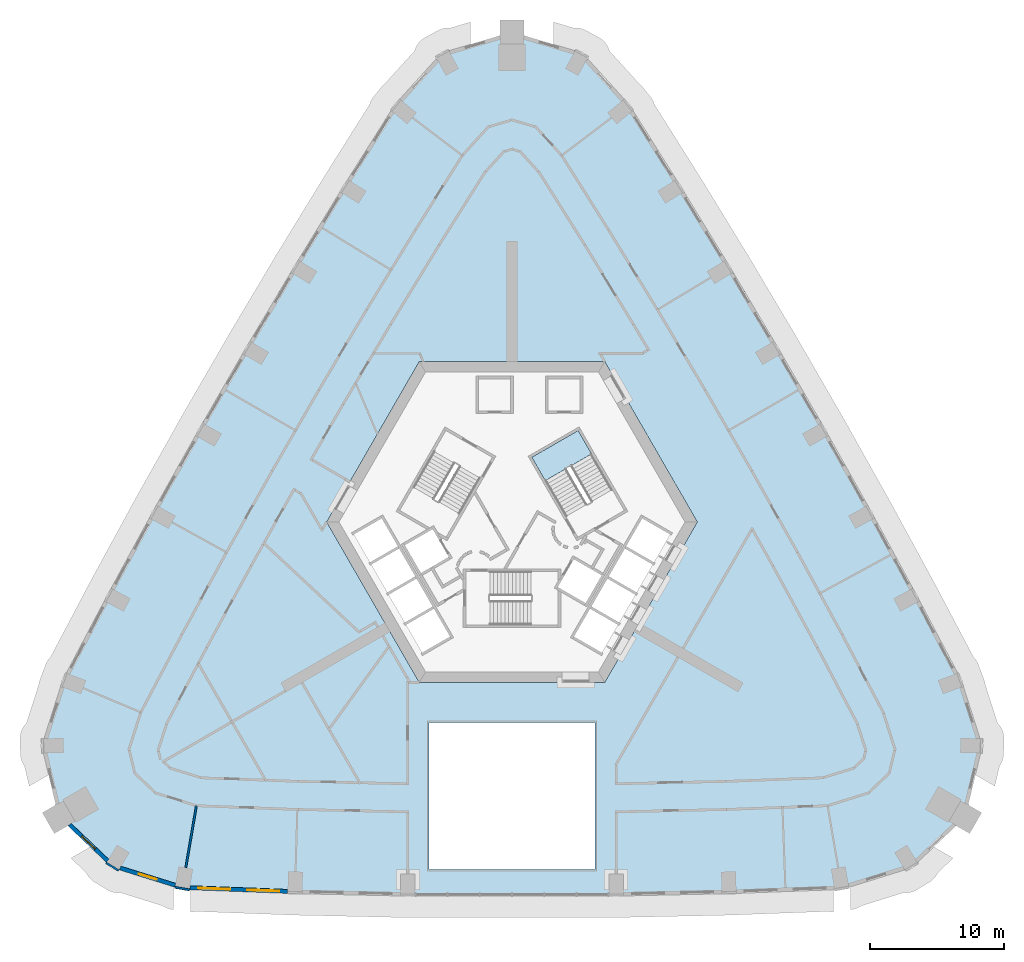
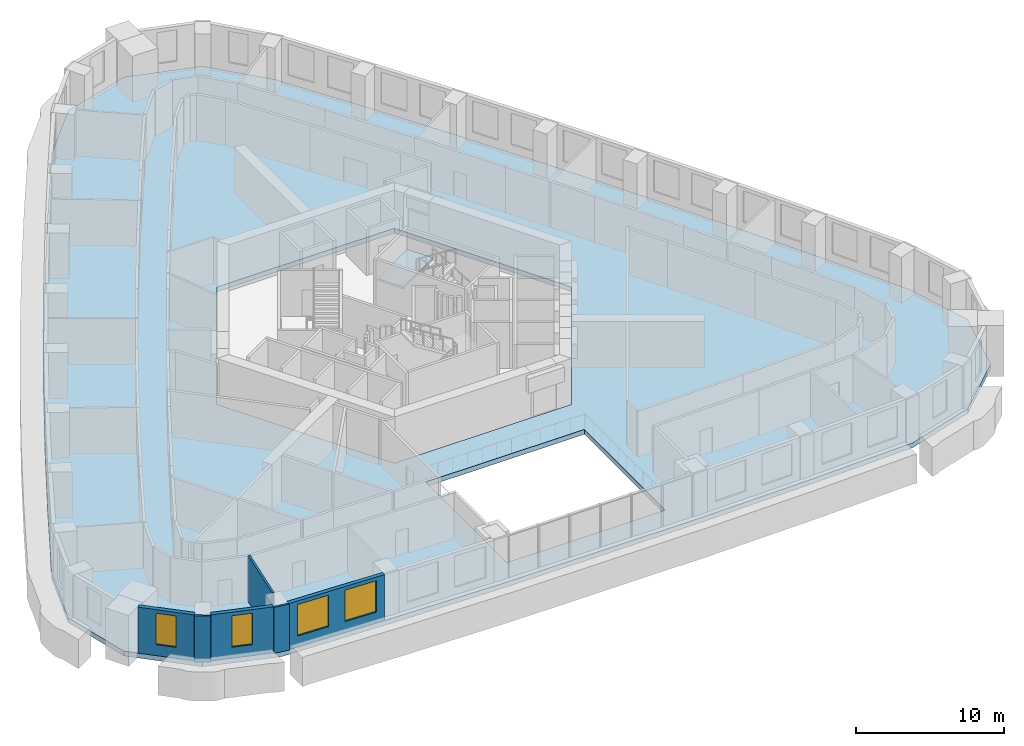
# One storey, part 3 of 17: 6 walls, 4 windows, 2 slabs, 4 openings, 1 element without a shape of its own.
"""IFC4 building model written with IfcOpenShell, lengths in metres."""

from ifc_helpers import new_model, si_unit, direction, frame, frame_2d, origin, place, context, subcontext, project, spatial, polyline, rectangle, outline, extrude, material, layer, layer_set, type_object, element, fill, aggregate, save


model = new_model("IFC4")

# Units and contexts
model_context = context("Model", 3, precision=1e-05, world=origin(), true_north=direction((0.0, 1.0)))
body_context = subcontext(model_context, "Body", "Model", "MODEL_VIEW")
ifc_project = project(units=[si_unit("LENGTHUNIT", "METRE"), si_unit("AREAUNIT", "SQUARE_METRE"), si_unit("VOLUMEUNIT", "CUBIC_METRE"), si_unit("PLANEANGLEUNIT", "RADIAN"), si_unit("MASSUNIT", "GRAM", prefix="KILO")], contexts=[model_context])

# Site, building, storey
site_placement = place(None, origin())
site = spatial("IfcSite", under=ifc_project, at=site_placement, CompositionType="ELEMENT")
building_placement = place(site_placement, origin())
building = spatial("IfcBuilding", under=site, at=building_placement, Name="Entoto Arch Interchange Tower", CompositionType="ELEMENT")
storey_placement = place(building_placement, frame((0.0, 0.0, 167.60009765625)))
storey = spatial("IfcBuildingStorey", under=building, at=storey_placement, Name="L37", CompositionType="ELEMENT", Elevation=167.60009765625)

# Stair, slab
ifc_material_1 = material(Name="Concrete C40/50", Category="concrete")
stair_type = type_object("IfcStairType", Name="EXIT STAIR RC 1800", PredefinedType="HALF_TURN_STAIR", material=ifc_material_1)
stair_placement = place(storey_placement, origin())
stair = element("IfcStair", 1, at=stair_placement, inside=storey, type_object=stair_type, Name="L37 Exit stair NE", PredefinedType="HALF_TURN_STAIR")
ifc_layer_1 = layer(ifc_material_1, 0.199951171875)
ifc_layer_set_1 = layer_set([ifc_layer_1], Name="Concrete C40/50")
slab_type_1 = type_object("IfcSlabType", Name="EXIT STAIR LANDING RC 200", PredefinedType="LANDING", material=ifc_layer_set_1)
slab_1_placement = place(storey_placement, frame((0.0, 0.0, 1.89990234375)))
slab_1 = element("IfcSlab", 2, at=slab_1_placement, type_object=slab_type_1, Name="ST-NE landing 1", PredefinedType="LANDING", context=body_context, shape_type="SweptSolid", body=[
    extrude(outline(polyline([(5.953369140625, 7.58837890625), (4.943359375, 9.337890625), (1.479248046875, 7.337890625), (2.4892578125, 5.58837890625), (5.953369140625, 7.58837890625)])), origin(), (0.0, 0.0, 1.0), 0.199951171875),
])
aggregate(stair, [slab_1])

# Slab
ifc_layer_2 = layer(ifc_material_1, 0.39990234375)
ifc_layer_set_2 = layer_set([ifc_layer_2], Name="Concrete C40/50")
slab_type_2 = type_object("IfcSlabType", Name="Post-tensioned flat plate 400 C40/50", PredefinedType="FLOOR", material=ifc_layer_set_2)
slab_2_placement = place(storey_placement, frame((0.0, 0.0, -0.400146484375)))
element("IfcSlab", 3, at=slab_2_placement, inside=storey, type_object=slab_type_2, Name="Floor slab L37", PredefinedType="FLOOR", context=body_context, shape_type="SweptSolid", body=[
    extrude(outline(polyline([(-24.6689453125, -24.97705078125), (-16.23388671875, -25.2900390625), (-7.800048828125, -25.472900390625), (7.800048828125, -25.472900390625), (16.23388671875, -25.2900390625), (24.6689453125, -24.97705078125), (29.9189453125, -23.339111328125), (33.888916015625, -19.56494140625), (35.1708984375, -14.240966796875), (33.58203125, -9.281005859375), (30.23388671875, -2.931884765625), (26.860107421875, 3.27490234375), (23.406005859375, 9.43603515625), (19.875, 15.552978515625), (16.26611328125, 21.6240234375), (12.577880859375, 27.64892578125), (8.7529296875, 33.72412109375), (5.2529296875, 37.580078125), (0.0, 39.131103515625), (-5.2529296875, 37.580078125), (-8.7529296875, 33.72412109375), (-12.577880859375, 27.64892578125), (-16.26611328125, 21.6240234375), (-19.875, 15.552978515625), (-23.406005859375, 9.43603515625), (-26.860107421875, 3.27490234375), (-30.23388671875, -2.931884765625), (-33.58203125, -9.281005859375), (-35.1708984375, -14.240966796875), (-33.888916015625, -19.56494140625), (-29.9189453125, -23.339111328125), (-24.6689453125, -24.97705078125)]), holes=[polyline([(6.199951171875, -23.472900390625), (6.199951171875, -12.5), (-6.199951171875, -12.5), (-6.199951171875, -23.472900390625), (6.199951171875, -23.472900390625)]), polyline([(13.85595703125, 2.5), (6.927978515625, 14.5), (-6.927978515625, 14.5), (-13.85595703125, 2.5), (-6.927978515625, -9.5), (6.927978515625, -9.5), (13.85595703125, 2.5)])]), origin(), (0.0, 0.0, 1.0), 0.400146484375),
])

# Wall
ifc_material_2 = material(Name="Gypsum board partition on steel studs", Category="steel")
ifc_layer_3 = layer(ifc_material_2, 0.14990234375)
ifc_layer_set_3 = layer_set([ifc_layer_3], Name="Gypsum board partition on steel studs")
wall_type_1 = type_object("IfcWallType", Name="PARTITION 150", PredefinedType="PARTITIONING", material=ifc_layer_set_3)
wall_1_placement = place(storey_placement, frame((-23.594970703125, -18.7119140625, 0.0), z_axis=(0.0, 0.0, 1.0), x_axis=(-0.168992733164, -0.985617296996, 0.0)))
element("IfcWall", 4, at=wall_1_placement, inside=storey, type_object=wall_type_1, Name="wall:L37:p145", PredefinedType="PARTITIONING", context=body_context, shape_type="SweptSolid", body=[
    extrude(rectangle(XDim=4.6865234375, YDim=0.14990234375, at=frame_2d((2.34326171875, 0.0))), origin(), (0.0, 0.0, 1.0), 3.7998046875),
])

# Wall, openings, windows
ifc_material_3 = material(Name="Welded tuff (ignimbrite) cladding, warm buff", Category="masonry")
ifc_layer_4 = layer(ifc_material_3, 0.300048828125)
ifc_layer_set_4 = layer_set([ifc_layer_4], Name="Welded tuff (ignimbrite) cladding, warm buff")
wall_type_2 = type_object("IfcWallType", Name="STONE INFILL WALL 300", PredefinedType="STANDARD", material=ifc_layer_set_4)
wall_2_placement = place(storey_placement, frame((-24.090087890625, -24.847900390625, 0.0), z_axis=(0.0, 0.0, 1.0), x_axis=(0.999307730926, -0.037202942236, 0.0)))
wall_2 = element("IfcWall", 5, at=wall_2_placement, inside=storey, type_object=wall_type_2, Name="Facade wall S-01 L37", PredefinedType="STANDARD", context=body_context, shape_type="SweptSolid", body=[
    extrude(rectangle(XDim=7.317138671875, YDim=0.300048828125, at=frame_2d((3.65869140625, 0.0))), origin(), (0.0, 0.0, 1.0), 3.7998046875),
])
opening_1_placement = place(wall_2_placement, frame((0.62890625, 0.0, 0.89990234375)))
opening_1 = element("IfcOpeningElement", 6, at=opening_1_placement, cuts=wall_2, Name="Opening WO-A", PredefinedType="OPENING", context=body_context, shape_type="SweptSolid", body=[
    extrude(rectangle(XDim=2.39990234375, YDim=2.60009765625, at=frame_2d((1.199951171875, 1.300048828125))), frame((0.0, 0.16015625, 0.0), z_axis=(0.0, -1.0, 0.0), x_axis=(1.0, 0.0, 0.0)), (0.0, 0.0, 1.0), 0.320068359375),
])
opening_2_placement = place(wall_2_placement, frame((4.2880859375, 0.0, 0.89990234375)))
opening_2 = element("IfcOpeningElement", 7, at=opening_2_placement, cuts=wall_2, Name="Opening WO-A", PredefinedType="OPENING", context=body_context, shape_type="SweptSolid", body=[
    extrude(rectangle(XDim=2.39990234375, YDim=2.60009765625, at=frame_2d((1.199951171875, 1.300048828125))), frame((0.0, 0.16015625, 0.0), z_axis=(0.0, -1.0, 0.0), x_axis=(1.0, 0.0, 0.0)), (0.0, 0.0, 1.0), 0.320068359375),
])
ifc_material_4 = material(Name="Clear glass, low-e double glazed", Category="glass")
window_type_1 = type_object("IfcWindowType", Name="WINDOW WO-A 2400x2600", PartitioningType="DOUBLE_PANEL_VERTICAL", PredefinedType="WINDOW", material=ifc_material_4)
window_1_placement = place(opening_1_placement, origin())
window_1 = element("IfcWindow", 8, at=window_1_placement, inside=storey, type_object=window_type_1, Name="Window WO-A S-01 L37", OverallHeight=2.60009765625, OverallWidth=2.39990234375, PartitioningType="SINGLE_PANEL", PredefinedType="WINDOW", context=body_context, shape_type="SweptSolid", body=[
    extrude(rectangle(XDim=2.39990234375, YDim=2.60009765625, at=frame_2d((1.199951171875, 1.300048828125))), frame((0.0, 0.030029296875, 0.0), z_axis=(0.0, -1.0, 0.0), x_axis=(1.0, 0.0, 0.0)), (0.0, 0.0, 1.0), 0.06005859375),
])
fill(opening_1, window_1)
window_2_placement = place(opening_2_placement, origin())
window_2 = element("IfcWindow", 9, at=window_2_placement, inside=storey, type_object=window_type_1, Name="Window WO-A S-01 L37", OverallHeight=2.60009765625, OverallWidth=2.39990234375, PartitioningType="SINGLE_PANEL", PredefinedType="WINDOW", context=body_context, shape_type="SweptSolid", body=[
    extrude(rectangle(XDim=2.39990234375, YDim=2.60009765625, at=frame_2d((1.199951171875, 1.300048828125))), frame((0.0, 0.030029296875, 0.0), z_axis=(0.0, -1.0, 0.0), x_axis=(1.0, 0.0, 0.0)), (0.0, 0.0, 1.0), 0.06005859375),
])
fill(opening_2, window_2)

# Wall, opening, window
wall_3_placement = place(storey_placement, frame((-33.073974609375, -20.133056640625, 0.0), z_axis=(0.0, 0.0, 1.0), x_axis=(0.724807239831, -0.688951714628, 0.0)))
wall_3 = element("IfcWall", 10, at=wall_3_placement, inside=storey, type_object=wall_type_2, Name="Facade wall SW-03 L37", PredefinedType="STANDARD", context=body_context, shape_type="SweptSolid", body=[
    extrude(rectangle(XDim=3.901611328125, YDim=0.300048828125, at=frame_2d((1.95068359375, 0.0))), origin(), (0.0, 0.0, 1.0), 3.7998046875),
])
opening_3_placement = place(wall_3_placement, frame((1.2509765625, 0.0, 0.89990234375)))
opening_3 = element("IfcOpeningElement", 11, at=opening_3_placement, cuts=wall_3, Name="Opening WO-B", PredefinedType="OPENING", context=body_context, shape_type="SweptSolid", body=[
    extrude(rectangle(XDim=1.39990234375, YDim=2.60009765625, at=frame_2d((0.699951171875, 1.300048828125))), frame((0.0, 0.16015625, 0.0), z_axis=(0.0, -1.0, 0.0), x_axis=(1.0, 0.0, 0.0)), (0.0, 0.0, 1.0), 0.320068359375),
])
window_type_2 = type_object("IfcWindowType", Name="WINDOW WO-B 1400x2600", PartitioningType="DOUBLE_PANEL_VERTICAL", PredefinedType="WINDOW", material=ifc_material_4)
window_3_placement = place(opening_3_placement, origin())
window_3 = element("IfcWindow", 12, at=window_3_placement, inside=storey, type_object=window_type_2, Name="Window WO-B SW-03 L37", OverallHeight=2.60009765625, OverallWidth=1.39990234375, PartitioningType="SINGLE_PANEL", PredefinedType="WINDOW", context=body_context, shape_type="SweptSolid", body=[
    extrude(rectangle(XDim=1.39990234375, YDim=2.60009765625, at=frame_2d((0.699951171875, 1.300048828125))), frame((0.0, 0.030029296875, 0.0), z_axis=(0.0, -1.0, 0.0), x_axis=(1.0, 0.0, 0.0)), (0.0, 0.0, 1.0), 0.06005859375),
])
fill(opening_3, window_3)

wall_4_placement = place(storey_placement, frame((-29.298095703125, -23.3759765625, 0.0), z_axis=(0.0, 0.0, 1.0), x_axis=(0.954628614874, -0.29779893832, 0.0)))
wall_4 = element("IfcWall", 13, at=wall_4_placement, inside=storey, type_object=wall_type_2, Name="Facade wall SW-04 L37", PredefinedType="STANDARD", context=body_context, shape_type="SweptSolid", body=[
    extrude(rectangle(XDim=4.322021484375, YDim=0.300048828125, at=frame_2d((2.1611328125, 0.0))), origin(), (0.0, 0.0, 1.0), 3.7998046875),
])
opening_4_placement = place(wall_4_placement, frame((1.4609375, 0.0, 0.89990234375)))
opening_4 = element("IfcOpeningElement", 14, at=opening_4_placement, cuts=wall_4, Name="Opening WO-B", PredefinedType="OPENING", context=body_context, shape_type="SweptSolid", body=[
    extrude(rectangle(XDim=1.39990234375, YDim=2.60009765625, at=frame_2d((0.699951171875, 1.300048828125))), frame((0.0, 0.16015625, 0.0), z_axis=(0.0, -1.0, 0.0), x_axis=(1.0, 0.0, 0.0)), (0.0, 0.0, 1.0), 0.320068359375),
])
window_4_placement = place(opening_4_placement, origin())
window_4 = element("IfcWindow", 15, at=window_4_placement, inside=storey, type_object=window_type_2, Name="Window WO-B SW-04 L37", OverallHeight=2.60009765625, OverallWidth=1.39990234375, PartitioningType="SINGLE_PANEL", PredefinedType="WINDOW", context=body_context, shape_type="SweptSolid", body=[
    extrude(rectangle(XDim=1.39990234375, YDim=2.60009765625, at=frame_2d((0.699951171875, 1.300048828125))), frame((0.0, 0.030029296875, 0.0), z_axis=(0.0, -1.0, 0.0), x_axis=(1.0, 0.0, 0.0)), (0.0, 0.0, 1.0), 0.06005859375),
])
fill(opening_4, window_4)

# Walls
ifc_layer_5 = layer(ifc_material_3, 0.14990234375)
ifc_layer_set_5 = layer_set([ifc_layer_5], Name="Welded tuff (ignimbrite) cladding, warm buff")
wall_type_3 = type_object("IfcWallType", Name="STONE PIER CLADDING 150", PredefinedType="STANDARD", material=ifc_layer_set_5)
wall_5_placement = place(storey_placement, frame((-25.198974609375, -24.81103515625, 0.0), z_axis=(0.0, 0.0, 1.0), x_axis=(0.985763338892, -0.168138751323, 0.0)))
element("IfcWall", 16, at=wall_5_placement, inside=storey, type_object=wall_type_3, Name="Stone pier S01 L37", PredefinedType="STANDARD", context=body_context, shape_type="SweptSolid", body=[
    extrude(rectangle(XDim=1.1005859375, YDim=0.14990234375, at=frame_2d((0.55029296875, 0.0))), origin(), (0.0, 0.0, 1.0), 3.7998046875),
])
wall_6_placement = place(storey_placement, frame((-30.34912109375, -22.989013671875, 0.0), z_axis=(0.0, 0.0, 1.0), x_axis=(0.854065628997, -0.520165263514, 0.0)))
element("IfcWall", 17, at=wall_6_placement, inside=storey, type_object=wall_type_3, Name="Stone pier SW3 L37", PredefinedType="STANDARD", context=body_context, shape_type="SweptSolid", body=[
    extrude(rectangle(XDim=1.099609375, YDim=0.14990234375, at=frame_2d((0.5498046875, 0.0))), origin(), (0.0, 0.0, 1.0), 3.7998046875),
])

save(model, "model.ifc")
